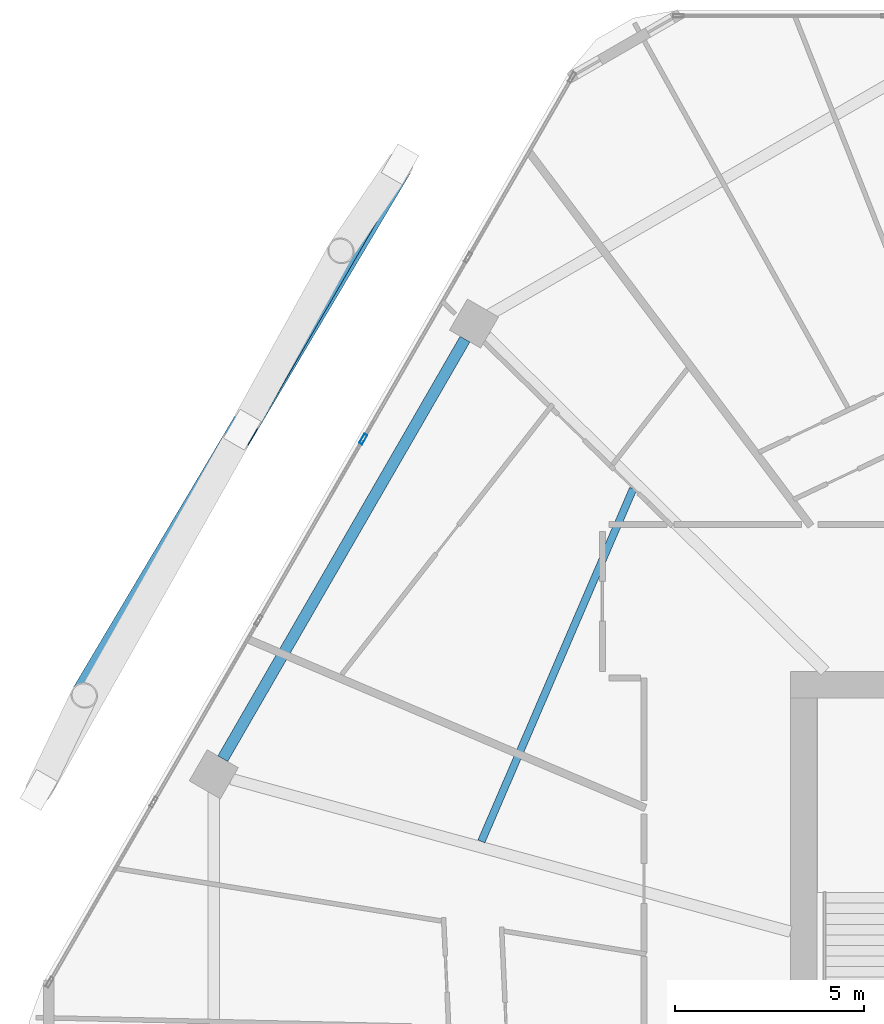
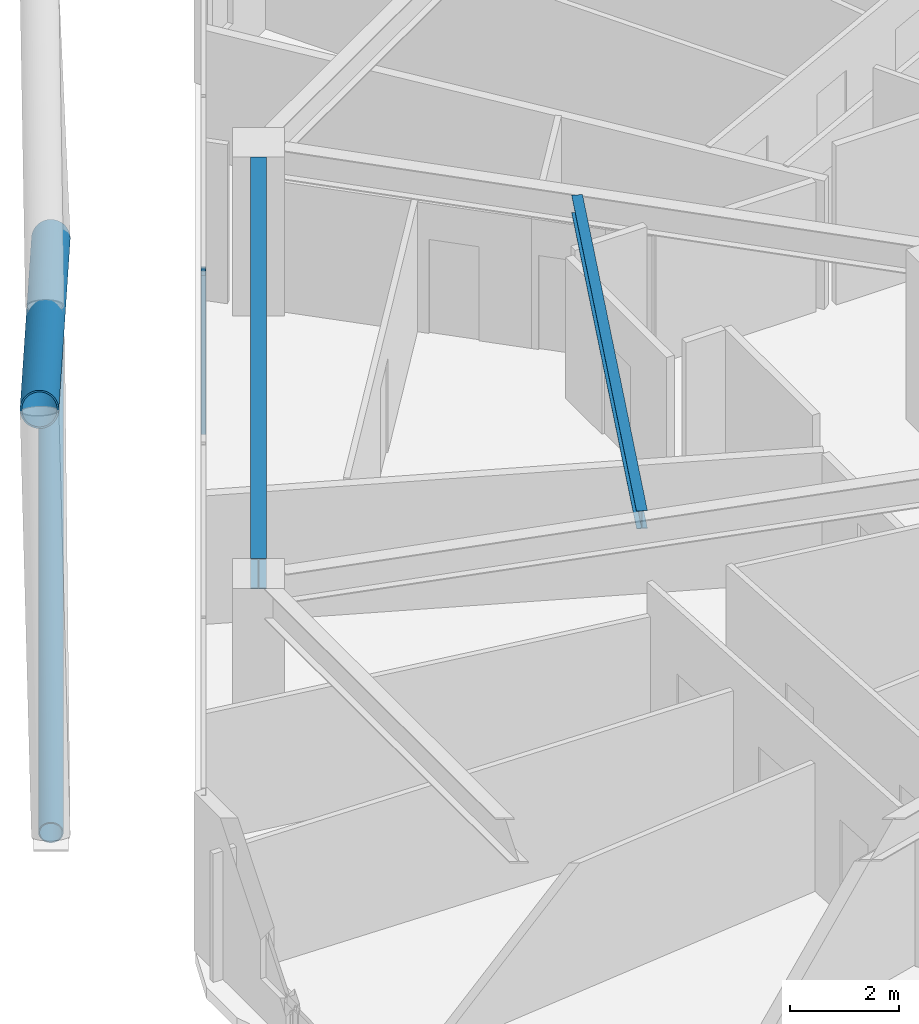
# One storey, part 11 of 29: 3 members, 2 beams, 1 element without a shape of its own.
"""IFC4 building model written with IfcOpenShell, lengths in metres."""

from ifc_helpers import new_model, si_unit, direction, frame, origin, origin_2d, place, context, subcontext, project, spatial, hollow_rectangle, hollow_circle, i_section, extrude, material, material_profile, profile_set, type_object, element, aggregate, save


model = new_model("IFC4")

# Units and contexts
model_context = context("Model", 3, precision=1e-05, world=origin(), true_north=direction((0.0, 1.0)))
body_context = subcontext(model_context, "Body", "Model", "MODEL_VIEW")
ifc_project = project(units=[si_unit("LENGTHUNIT", "METRE"), si_unit("AREAUNIT", "SQUARE_METRE"), si_unit("VOLUMEUNIT", "CUBIC_METRE"), si_unit("PLANEANGLEUNIT", "RADIAN"), si_unit("MASSUNIT", "GRAM", prefix="KILO")], contexts=[model_context])

# Site, building, storey
site_placement = place(None, origin())
site = spatial("IfcSite", under=ifc_project, at=site_placement, CompositionType="ELEMENT")
building_placement = place(site_placement, origin())
building = spatial("IfcBuilding", under=site, at=building_placement, Name="Zuhravey Tower", CompositionType="ELEMENT")
storey_placement = place(building_placement, frame((0.0, 0.0, 192.199951171875)))
storey = spatial("IfcBuildingStorey", under=building, at=storey_placement, Name="L48", CompositionType="ELEMENT", Elevation=192.199951171875)

# Curtain wall, member
ifc_material_1 = material(Name="Thermally broken anodised aluminium", Category="aluminium")
curtain_wall_type = type_object("IfcCurtainWallType", Name="Zone 1-2 Residential Curtain Wall CW3", PredefinedType="NOTDEFINED", material=ifc_material_1)
curtain_wall_placement = place(storey_placement, origin())
curtain_wall = element("IfcCurtainWall", 1, at=curtain_wall_placement, inside=storey, type_object=curtain_wall_type, Name="L48 CW3 CW-L48-F3-1", PredefinedType="NOTDEFINED")
ifc_material_2 = material(Name="Anodised aluminium", Category="aluminium")
ifc_material_profile_1 = material_profile(ifc_material_2, hollow_rectangle(XDim=0.090087890625, YDim=0.284912109375, WallThickness=0.0048828125, at=origin_2d()), Name="ALU-RHS-90x285x5")
ifc_profile_set_1 = profile_set([ifc_material_profile_1], Name="Anodised aluminium")
member_type_1 = type_object("IfcMemberType", Name="Curtain-Wall Mullion 90x180", PredefinedType="MULLION", material=ifc_profile_set_1)
member_1_placement = place(storey_placement, frame((13.844970703125, 47.992431640625, 0.0), z_axis=(0.0, 0.0, 1.0), x_axis=(-0.866025138215, 0.500000459979, 0.0)))
member_1 = element("IfcMember", 2, at=member_1_placement, type_object=member_type_1, Name="CW3 mullion 4", PredefinedType="MULLION", context=body_context, shape_type="SweptSolid", body=[
    extrude(hollow_rectangle(XDim=0.090087890625, YDim=0.284912109375, WallThickness=0.0048828125, at=origin_2d()), origin(), (0.0, 0.0, 1.0), 3.550048828125),
])
aggregate(curtain_wall, [member_1])

# Members
ifc_material_3 = material(Name="Steel SM355", Category="steel")
ifc_material_profile_2 = material_profile(ifc_material_3, hollow_circle(Radius=0.228515625, WallThickness=0.02197265625, at=origin_2d()), Name="CHS-457.2x22")
ifc_profile_set_2 = profile_set([ifc_material_profile_2], Name="Steel SM355")
member_type_2 = type_object("IfcMemberType", Name="Exoskeleton Ring Tie CHS457x22", PredefinedType="CHORD", material=ifc_profile_set_2)
member_2_placement = place(storey_placement, frame((14.75, 55.14013671875, -0.4638671875), z_axis=(-0.500004532627, -0.866022786855, 0.0), x_axis=(0.866022786855, -0.500004532627, 0.0)))
element("IfcMember", 3, at=member_2_placement, inside=storey, type_object=member_type_2, Name="L48 Exoskeleton Face 3 Tie EXR1", PredefinedType="CHORD", context=body_context, shape_type="SweptSolid", body=[
    extrude(hollow_circle(Radius=0.228515625, WallThickness=0.02197265625, at=origin_2d()), origin(), (0.0, 0.0, 1.0), 18.829833984375),
])
ifc_material_4 = material(Name="Steel SM460", Category="steel")
ifc_material_profile_3 = material_profile(ifc_material_4, hollow_circle(Radius=0.355712890625, WallThickness=0.031982421875, at=origin_2d()), Name="CHS-711.2x32")
ifc_profile_set_3 = profile_set([ifc_material_profile_3], Name="Steel SM460")
member_type_3 = type_object("IfcMemberType", Name="Exoskeleton Zone 2 Diagrid CHS711x32", PredefinedType="BRACE", material=ifc_profile_set_3)
member_3_placement = place(storey_placement, frame((14.798095703125, 55.224365234375, -0.44384765625), z_axis=(-0.463409272959, -0.779327419625, 0.421782667681), x_axis=(0.859523580782, -0.511096090848, 0.0)))
element("IfcMember", 4, at=member_3_placement, inside=storey, type_object=member_type_3, Name="L48 Face 3 Diagrid Brace 2", PredefinedType="BRACE", context=body_context, shape_type="SweptSolid", body=[
    extrude(hollow_circle(Radius=0.355712890625, WallThickness=0.031982421875, at=origin_2d()), origin(), (0.0, 0.0, 1.0), 17.923583984375),
])

# Beams
ifc_material_profile_4 = material_profile(ifc_material_3, i_section(OverallWidth=0.300048828125, OverallDepth=0.679931640625, WebThickness=0.012939453125, FlangeThickness=0.02197265625, at=origin_2d()), Name="H-680x300x13x22")
ifc_profile_set_4 = profile_set([ifc_material_profile_4], Name="Steel SM355")
beam_type_1 = type_object("IfcBeamType", Name="Perimeter Ring Beam H680x300", PredefinedType="BEAM", material=ifc_profile_set_4)
beam_1_placement = place(storey_placement, frame((16.535400390625, 50.632568359375, 3.2099609375), z_axis=(-0.500003505699, -0.866023379758, 0.0), x_axis=(0.866023379758, -0.500003505699, 0.0)))
element("IfcBeam", 5, at=beam_1_placement, inside=storey, type_object=beam_type_1, Name="L48 PB2 BM-L48-PB-05", PredefinedType="BEAM", context=body_context, shape_type="SweptSolid", body=[
    extrude(i_section(OverallWidth=0.300048828125, OverallDepth=0.679931640625, WebThickness=0.012939453125, FlangeThickness=0.02197265625, at=origin_2d()), origin(), (0.0, 0.0, 1.0), 12.80810546875),
])
ifc_material_profile_5 = material_profile(ifc_material_3, i_section(OverallWidth=0.199951171875, OverallDepth=0.39990234375, WebThickness=0.008056640625, FlangeThickness=0.012939453125, at=origin_2d()), Name="H-400x200x8x13")
ifc_profile_set_5 = profile_set([ifc_material_profile_5], Name="Steel SM355")
beam_type_2 = type_object("IfcBeamType", Name="Secondary Floor Joist H400x200", PredefinedType="JOIST", material=ifc_profile_set_5)
beam_2_placement = place(storey_placement, frame((20.982421875, 46.676025390625, 3.35009765625), z_axis=(-0.395265853487, -0.918566766799, 0.0), x_axis=(0.918566766799, -0.395265853487, 0.0)))
element("IfcBeam", 6, at=beam_2_placement, inside=storey, type_object=beam_type_2, Name="L48 SJ2 BM-L48-SJ-05-1", PredefinedType="JOIST", context=body_context, shape_type="SweptSolid", body=[
    extrude(i_section(OverallWidth=0.199951171875, OverallDepth=0.39990234375, WebThickness=0.008056640625, FlangeThickness=0.012939453125, at=origin_2d()), origin(), (0.0, 0.0, 1.0), 10.150146484375),
])

save(model, "model.ifc")
